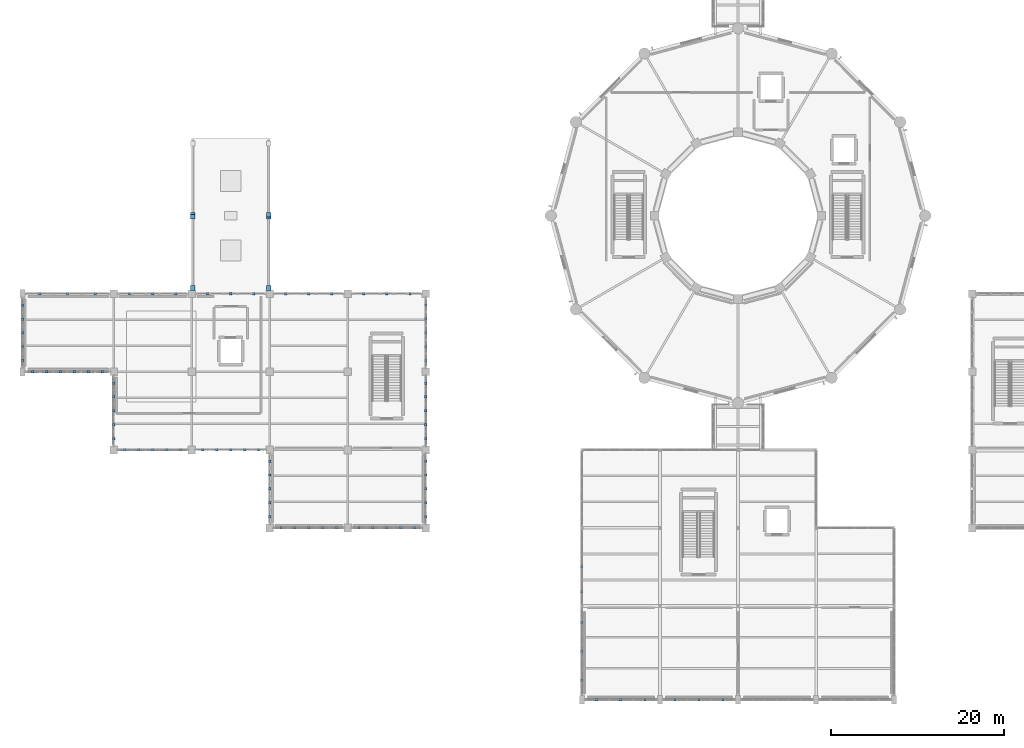
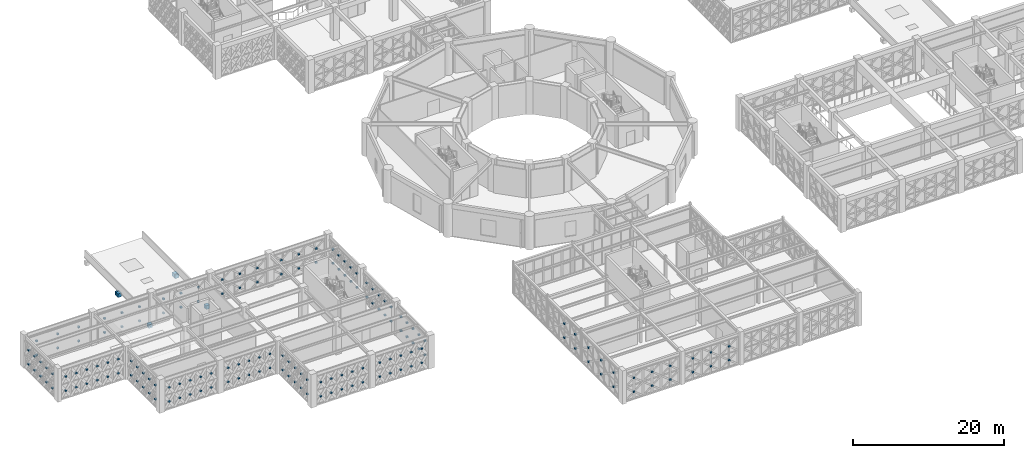
# One storey, part 140 of 155: 170 discrete accessories.
"""IFC4 building model written with IfcOpenShell, lengths in metres."""

from ifc_helpers import new_model, si_unit, direction, frame, origin, origin_2d, place, context, subcontext, project, spatial, rectangle, extrude, material, type_object, element, save


model = new_model("IFC4")

# Units and contexts
model_context = context("Model", 3, precision=1e-05, world=origin(), true_north=direction((0.0, 1.0)))
body_context = subcontext(model_context, "Body", "Model", "MODEL_VIEW")
ifc_project = project(units=[si_unit("LENGTHUNIT", "METRE"), si_unit("AREAUNIT", "SQUARE_METRE"), si_unit("VOLUMEUNIT", "CUBIC_METRE"), si_unit("PLANEANGLEUNIT", "RADIAN"), si_unit("MASSUNIT", "GRAM", prefix="KILO")], contexts=[model_context])

# Site, building, storey
site_placement = place(None, origin())
site = spatial("IfcSite", under=ifc_project, at=site_placement, CompositionType="ELEMENT")
building_placement = place(site_placement, origin())
building = spatial("IfcBuilding", under=site, at=building_placement, Name="Haizhuo Lancet Aquarium", CompositionType="ELEMENT")
storey_placement = place(building_placement, frame((0.0, 0.0, 10.800048828125)))
storey = spatial("IfcBuildingStorey", under=building, at=storey_placement, Name="L02", CompositionType="ELEMENT", Elevation=10.800048828125)

# Discrete accessories
ifc_material = material(Name="Steel S355", Category="steel")
discrete_accessory_type = type_object("IfcDiscreteAccessoryType", Name="ACC-END-CAP", PredefinedType="BRACKET", material=ifc_material)
for number, where, z_axis, x_axis, name in (
    (1, (-62.8798828125, -8.320068359375, -0.9501953125), (0.0, 0.0, 1.0), (1.0, 0.0, 0.0), "L02 welded Steel S355 brace end-cap bracket EC-SB-1-1"),
    (2, (-62.8798828125, -0.1201171875, -0.9501953125), (0.0, 0.0, 1.0), (1.0, 0.0, 0.0), "L02 welded Steel S355 brace end-cap bracket EC-SB-1-2"),
    (3, (-62.8798828125, 0.1201171875, -0.9501953125), (0.0, 0.0, 1.0), (1.0, 0.0, 0.0), "L02 welded Steel S355 brace end-cap bracket EC-SB-1-3"),
    (4, (-54.1201171875, -8.320068359375, -0.9501953125), (0.0, 0.0, 1.0), (1.0, 0.0, 0.0), "L02 welded Steel S355 brace end-cap bracket EC-SB-2-1"),
    (5, (-54.1201171875, -0.1201171875, -0.9501953125), (0.0, 0.0, 1.0), (1.0, 0.0, 0.0), "L02 welded Steel S355 brace end-cap bracket EC-SB-2-2"),
    (6, (-54.1201171875, 0.1201171875, -0.9501953125), (0.0, 0.0, 1.0), (1.0, 0.0, 0.0), "L02 welded Steel S355 brace end-cap bracket EC-SB-2-3"),
):
    element("IfcDiscreteAccessory", number, at=place(storey_placement, frame(where, z_axis=z_axis, x_axis=x_axis)), inside=storey, type_object=discrete_accessory_type, material=ifc_material, Name=name, PredefinedType="BRACKET", context=body_context, shape_type="SweptSolid", body=[
        extrude(rectangle(XDim=0.550048828125, YDim=0.550048828125, at=origin_2d()), origin(), (0.0, 0.0, 1.0), 0.60009765625),
    ])
for number, where, z_axis, x_axis, name in (
    (7, (-1.72998046875, -55.800048828125, 0.99609375), (0.0, 0.0, 1.0), (1.0, 0.0, 0.0), "L02 X-brace crossing gusset plate XN-CW-V4-L02-110-LB01B1"),
    (8, (-1.72998046875, -55.800048828125, 3.22607421875), (0.0, 0.0, 1.0), (1.0, 0.0, 0.0), "L02 X-brace crossing gusset plate XN-CW-V4-L02-110-LB02B1"),
    (9, (-4.5, -55.800048828125, 0.99609375), (0.0, 0.0, 1.0), (1.0, 0.0, 0.0), "L02 X-brace crossing gusset plate XN-CW-V4-L02-110-LB03B1"),
    (10, (-4.5, -55.800048828125, 3.22607421875), (0.0, 0.0, 1.0), (1.0, 0.0, 0.0), "L02 X-brace crossing gusset plate XN-CW-V4-L02-110-LB04B1"),
    (11, (-7.27001953125, -55.800048828125, 0.99609375), (0.0, 0.0, 1.0), (1.0, 0.0, 0.0), "L02 X-brace crossing gusset plate XN-CW-V4-L02-110-LB05B1"),
    (12, (-7.27001953125, -55.800048828125, 3.22607421875), (0.0, 0.0, 1.0), (1.0, 0.0, 0.0), "L02 X-brace crossing gusset plate XN-CW-V4-L02-110-LB06B1"),
    (13, (-10.72998046875, -55.800048828125, 0.99609375), (0.0, 0.0, 1.0), (1.0, 0.0, 0.0), "L02 X-brace crossing gusset plate XN-CW-V4-L02-111-LB01B1"),
    (14, (-10.72998046875, -55.800048828125, 3.22607421875), (0.0, 0.0, 1.0), (1.0, 0.0, 0.0), "L02 X-brace crossing gusset plate XN-CW-V4-L02-111-LB02B1"),
    (15, (-13.5, -55.800048828125, 0.99609375), (0.0, 0.0, 1.0), (1.0, 0.0, 0.0), "L02 X-brace crossing gusset plate XN-CW-V4-L02-111-LB03B1"),
    (16, (-13.5, -55.800048828125, 3.22607421875), (0.0, 0.0, 1.0), (1.0, 0.0, 0.0), "L02 X-brace crossing gusset plate XN-CW-V4-L02-111-LB04B1"),
    (17, (-16.27001953125, -55.800048828125, 0.99609375), (0.0, 0.0, 1.0), (1.0, 0.0, 0.0), "L02 X-brace crossing gusset plate XN-CW-V4-L02-111-LB05B1"),
    (18, (-16.27001953125, -55.800048828125, 3.22607421875), (0.0, 0.0, 1.0), (1.0, 0.0, 0.0), "L02 X-brace crossing gusset plate XN-CW-V4-L02-111-LB06B1"),
    (19, (-18.0, -53.5791015625, 1.02099609375), (0.0, 0.0, 1.0), (1.0, 0.0, 0.0), "L02 X-brace crossing gusset plate XN-CW-V4-L02-112-LB01B1"),
    (20, (-18.0, -53.5791015625, 3.30078125), (0.0, 0.0, 1.0), (1.0, 0.0, 0.0), "L02 X-brace crossing gusset plate XN-CW-V4-L02-112-LB02B1"),
    (21, (-18.0, -50.22509765625, 1.02099609375), (0.0, 0.0, 1.0), (1.0, 0.0, 0.0), "L02 X-brace crossing gusset plate XN-CW-V4-L02-112-LB03B1"),
    (22, (-18.0, -50.22509765625, 3.30078125), (0.0, 0.0, 1.0), (1.0, 0.0, 0.0), "L02 X-brace crossing gusset plate XN-CW-V4-L02-112-LB04B1"),
    (23, (-18.0, -46.87109375, 1.02099609375), (0.0, 0.0, 1.0), (1.0, 0.0, 0.0), "L02 X-brace crossing gusset plate XN-CW-V4-L02-112-LB05B1"),
    (24, (-18.0, -46.87109375, 3.30078125), (0.0, 0.0, 1.0), (1.0, 0.0, 0.0), "L02 X-brace crossing gusset plate XN-CW-V4-L02-112-LB06B1"),
    (25, (-18.0, -43.3701171875, 1.02099609375), (0.0, 0.0, 1.0), (1.0, 0.0, 0.0), "L02 X-brace crossing gusset plate XN-CW-V4-L02-113-LB01B1"),
    (26, (-18.0, -43.3701171875, 3.30078125), (0.0, 0.0, 1.0), (1.0, 0.0, 0.0), "L02 X-brace crossing gusset plate XN-CW-V4-L02-113-LB02B1"),
    (27, (-18.0, -40.5, 1.02099609375), (0.0, 0.0, 1.0), (1.0, 0.0, 0.0), "L02 X-brace crossing gusset plate XN-CW-V4-L02-113-LB03B1"),
    (28, (-18.0, -40.5, 3.30078125), (0.0, 0.0, 1.0), (1.0, 0.0, 0.0), "L02 X-brace crossing gusset plate XN-CW-V4-L02-113-LB04B1"),
    (29, (-73.300048828125, -18.0, 1.02001953125), (0.0, 0.0, 1.0), (1.0, 0.0, 0.0), "L02 X-brace crossing gusset plate XN-CW-V6-L02-212-LB01B1"),
    (30, (-73.300048828125, -18.0, 3.2998046875), (0.0, 0.0, 1.0), (1.0, 0.0, 0.0), "L02 X-brace crossing gusset plate XN-CW-V6-L02-212-LB02B1"),
    (31, (-74.909912109375, -18.0, 1.02001953125), (0.0, 0.0, 1.0), (1.0, 0.0, 0.0), "L02 X-brace crossing gusset plate XN-CW-V6-L02-212-LB03B1"),
    (32, (-74.909912109375, -18.0, 3.2998046875), (0.0, 0.0, 1.0), (1.0, 0.0, 0.0), "L02 X-brace crossing gusset plate XN-CW-V6-L02-212-LB04B1"),
    (33, (-76.52001953125, -18.0, 1.02001953125), (0.0, 0.0, 1.0), (1.0, 0.0, 0.0), "L02 X-brace crossing gusset plate XN-CW-V6-L02-212-LB05B1"),
    (34, (-76.52001953125, -18.0, 3.2998046875), (0.0, 0.0, 1.0), (1.0, 0.0, 0.0), "L02 X-brace crossing gusset plate XN-CW-V6-L02-212-LB06B1"),
    (35, (-78.1298828125, -18.0, 1.02001953125), (0.0, 0.0, 1.0), (1.0, 0.0, 0.0), "L02 X-brace crossing gusset plate XN-CW-V6-L02-212-LB07B1"),
    (36, (-78.1298828125, -18.0, 3.2998046875), (0.0, 0.0, 1.0), (1.0, 0.0, 0.0), "L02 X-brace crossing gusset plate XN-CW-V6-L02-212-LB08B1"),
    (37, (-79.739990234375, -18.0, 1.02001953125), (0.0, 0.0, 1.0), (1.0, 0.0, 0.0), "L02 X-brace crossing gusset plate XN-CW-V6-L02-212-LB09B1"),
    (38, (-79.739990234375, -18.0, 3.2998046875), (0.0, 0.0, 1.0), (1.0, 0.0, 0.0), "L02 X-brace crossing gusset plate XN-CW-V6-L02-212-LB10B1"),
    (39, (-81.35009765625, -18.0, 1.02001953125), (0.0, 0.0, 1.0), (1.0, 0.0, 0.0), "L02 X-brace crossing gusset plate XN-CW-V6-L02-212-LB11B1"),
    (40, (-81.35009765625, -18.0, 3.2998046875), (0.0, 0.0, 1.0), (1.0, 0.0, 0.0), "L02 X-brace crossing gusset plate XN-CW-V6-L02-212-LB12B1"),
    (41, (-82.5, -16.6640625, 1.02001953125), (0.0, 0.0, 1.0), (1.0, 0.0, 0.0), "L02 X-brace crossing gusset plate XN-CW-V6-L02-213-LB01B1"),
    (42, (-82.5, -16.6640625, 3.2998046875), (0.0, 0.0, 1.0), (1.0, 0.0, 0.0), "L02 X-brace crossing gusset plate XN-CW-V6-L02-213-LB02B1"),
    (43, (-82.5, -15.08203125, 1.02001953125), (0.0, 0.0, 1.0), (1.0, 0.0, 0.0), "L02 X-brace crossing gusset plate XN-CW-V6-L02-213-LB03B1"),
    (44, (-82.5, -15.08203125, 3.2998046875), (0.0, 0.0, 1.0), (1.0, 0.0, 0.0), "L02 X-brace crossing gusset plate XN-CW-V6-L02-213-LB04B1"),
    (45, (-82.5, -13.5, 1.02001953125), (0.0, 0.0, 1.0), (1.0, 0.0, 0.0), "L02 X-brace crossing gusset plate XN-CW-V6-L02-213-LB05B1"),
    (46, (-82.5, -13.5, 3.2998046875), (0.0, 0.0, 1.0), (1.0, 0.0, 0.0), "L02 X-brace crossing gusset plate XN-CW-V6-L02-213-LB06B1"),
    (47, (-82.5, -11.91796875, 1.02001953125), (0.0, 0.0, 1.0), (1.0, 0.0, 0.0), "L02 X-brace crossing gusset plate XN-CW-V6-L02-213-LB07B1"),
    (48, (-82.5, -11.91796875, 3.2998046875), (0.0, 0.0, 1.0), (1.0, 0.0, 0.0), "L02 X-brace crossing gusset plate XN-CW-V6-L02-213-LB08B1"),
    (49, (-82.5, -10.3359375, 1.02001953125), (0.0, 0.0, 1.0), (1.0, 0.0, 0.0), "L02 X-brace crossing gusset plate XN-CW-V6-L02-213-LB09B1"),
    (50, (-82.5, -10.3359375, 3.2998046875), (0.0, 0.0, 1.0), (1.0, 0.0, 0.0), "L02 X-brace crossing gusset plate XN-CW-V6-L02-213-LB10B1"),
    (51, (-80.544921875, -9.0, 1.02001953125), (0.0, 0.0, 1.0), (1.0, 0.0, 0.0), "L02 X-brace crossing gusset plate XN-CW-V6-L02-214-LB01B1"),
    (52, (-80.544921875, -9.0, 3.2998046875), (0.0, 0.0, 1.0), (1.0, 0.0, 0.0), "L02 X-brace crossing gusset plate XN-CW-V6-L02-214-LB02B1"),
    (53, (-77.324951171875, -9.0, 1.02001953125), (0.0, 0.0, 1.0), (1.0, 0.0, 0.0), "L02 X-brace crossing gusset plate XN-CW-V6-L02-214-LB03B1"),
    (54, (-77.324951171875, -9.0, 3.2998046875), (0.0, 0.0, 1.0), (1.0, 0.0, 0.0), "L02 X-brace crossing gusset plate XN-CW-V6-L02-214-LB04B1"),
    (55, (-74.10498046875, -9.0, 1.02001953125), (0.0, 0.0, 1.0), (1.0, 0.0, 0.0), "L02 X-brace crossing gusset plate XN-CW-V6-L02-214-LB05B1"),
    (56, (-74.10498046875, -9.0, 3.2998046875), (0.0, 0.0, 1.0), (1.0, 0.0, 0.0), "L02 X-brace crossing gusset plate XN-CW-V6-L02-214-LB06B1"),
    (57, (-70.169921875, -9.0, 1.02001953125), (0.0, 0.0, 1.0), (1.0, 0.0, 0.0), "L02 X-brace crossing gusset plate XN-CW-V6-L02-215-LB01B1"),
    (58, (-70.169921875, -9.0, 3.2998046875), (0.0, 0.0, 1.0), (1.0, 0.0, 0.0), "L02 X-brace crossing gusset plate XN-CW-V6-L02-215-LB02B1"),
    (59, (-67.5, -9.0, 1.02001953125), (0.0, 0.0, 1.0), (1.0, 0.0, 0.0), "L02 X-brace crossing gusset plate XN-CW-V6-L02-215-LB03B1"),
    (60, (-67.5, -9.0, 3.2998046875), (0.0, 0.0, 1.0), (1.0, 0.0, 0.0), "L02 X-brace crossing gusset plate XN-CW-V6-L02-215-LB04B1"),
    (61, (-64.830078125, -9.0, 1.02001953125), (0.0, 0.0, 1.0), (1.0, 0.0, 0.0), "L02 X-brace crossing gusset plate XN-CW-V6-L02-215-LB05B1"),
    (62, (-64.830078125, -9.0, 3.2998046875), (0.0, 0.0, 1.0), (1.0, 0.0, 0.0), "L02 X-brace crossing gusset plate XN-CW-V6-L02-215-LB06B1"),
    (63, (-61.169921875, -9.0, 1.02001953125), (0.0, 0.0, 1.0), (1.0, 0.0, 0.0), "L02 X-brace crossing gusset plate XN-CW-V6-L02-216-LB01B1"),
    (64, (-61.169921875, -9.0, 3.2998046875), (0.0, 0.0, 1.0), (1.0, 0.0, 0.0), "L02 X-brace crossing gusset plate XN-CW-V6-L02-216-LB02B1"),
    (65, (-58.5, -9.0, 1.02001953125), (0.0, 0.0, 1.0), (1.0, 0.0, 0.0), "L02 X-brace crossing gusset plate XN-CW-V6-L02-216-LB03B1"),
    (66, (-58.5, -9.0, 3.2998046875), (0.0, 0.0, 1.0), (1.0, 0.0, 0.0), "L02 X-brace crossing gusset plate XN-CW-V6-L02-216-LB04B1"),
    (67, (-55.830078125, -9.0, 1.02001953125), (0.0, 0.0, 1.0), (1.0, 0.0, 0.0), "L02 X-brace crossing gusset plate XN-CW-V6-L02-216-LB05B1"),
    (68, (-55.830078125, -9.0, 3.2998046875), (0.0, 0.0, 1.0), (1.0, 0.0, 0.0), "L02 X-brace crossing gusset plate XN-CW-V6-L02-216-LB06B1"),
    (69, (-52.169921875, -9.0, 1.02001953125), (0.0, 0.0, 1.0), (1.0, 0.0, 0.0), "L02 X-brace crossing gusset plate XN-CW-V6-L02-217-LB01B1"),
    (70, (-52.169921875, -9.0, 3.2998046875), (0.0, 0.0, 1.0), (1.0, 0.0, 0.0), "L02 X-brace crossing gusset plate XN-CW-V6-L02-217-LB02B1"),
    (71, (-49.5, -9.0, 1.02001953125), (0.0, 0.0, 1.0), (1.0, 0.0, 0.0), "L02 X-brace crossing gusset plate XN-CW-V6-L02-217-LB03B1"),
    (72, (-49.5, -9.0, 3.2998046875), (0.0, 0.0, 1.0), (1.0, 0.0, 0.0), "L02 X-brace crossing gusset plate XN-CW-V6-L02-217-LB04B1"),
    (73, (-46.830078125, -9.0, 1.02001953125), (0.0, 0.0, 1.0), (1.0, 0.0, 0.0), "L02 X-brace crossing gusset plate XN-CW-V6-L02-217-LB05B1"),
    (74, (-46.830078125, -9.0, 3.2998046875), (0.0, 0.0, 1.0), (1.0, 0.0, 0.0), "L02 X-brace crossing gusset plate XN-CW-V6-L02-217-LB06B1"),
    (75, (-43.169921875, -9.0, 1.02001953125), (0.0, 0.0, 1.0), (1.0, 0.0, 0.0), "L02 X-brace crossing gusset plate XN-CW-V6-L02-218-LB01B1"),
    (76, (-43.169921875, -9.0, 3.2998046875), (0.0, 0.0, 1.0), (1.0, 0.0, 0.0), "L02 X-brace crossing gusset plate XN-CW-V6-L02-218-LB02B1"),
    (77, (-40.5, -9.0, 1.02001953125), (0.0, 0.0, 1.0), (1.0, 0.0, 0.0), "L02 X-brace crossing gusset plate XN-CW-V6-L02-218-LB03B1"),
    (78, (-40.5, -9.0, 3.2998046875), (0.0, 0.0, 1.0), (1.0, 0.0, 0.0), "L02 X-brace crossing gusset plate XN-CW-V6-L02-218-LB04B1"),
    (79, (-37.830078125, -9.0, 1.02001953125), (0.0, 0.0, 1.0), (1.0, 0.0, 0.0), "L02 X-brace crossing gusset plate XN-CW-V6-L02-218-LB05B1"),
    (80, (-37.830078125, -9.0, 3.2998046875), (0.0, 0.0, 1.0), (1.0, 0.0, 0.0), "L02 X-brace crossing gusset plate XN-CW-V6-L02-218-LB06B1"),
    (81, (-36.0, -10.2958984375, 1.02001953125), (0.0, 0.0, 1.0), (1.0, 0.0, 0.0), "L02 X-brace crossing gusset plate XN-CW-V6-L02-219-LB01B1"),
    (82, (-36.0, -10.2958984375, 3.2998046875), (0.0, 0.0, 1.0), (1.0, 0.0, 0.0), "L02 X-brace crossing gusset plate XN-CW-V6-L02-219-LB02B1"),
    (83, (-36.0, -11.89794921875, 1.02001953125), (0.0, 0.0, 1.0), (1.0, 0.0, 0.0), "L02 X-brace crossing gusset plate XN-CW-V6-L02-219-LB03B1"),
    (84, (-36.0, -11.89794921875, 3.2998046875), (0.0, 0.0, 1.0), (1.0, 0.0, 0.0), "L02 X-brace crossing gusset plate XN-CW-V6-L02-219-LB04B1"),
    (85, (-36.0, -13.5, 1.02001953125), (0.0, 0.0, 1.0), (1.0, 0.0, 0.0), "L02 X-brace crossing gusset plate XN-CW-V6-L02-219-LB05B1"),
    (86, (-36.0, -13.5, 3.2998046875), (0.0, 0.0, 1.0), (1.0, 0.0, 0.0), "L02 X-brace crossing gusset plate XN-CW-V6-L02-219-LB06B1"),
    (87, (-36.0, -15.10205078125, 1.02001953125), (0.0, 0.0, 1.0), (1.0, 0.0, 0.0), "L02 X-brace crossing gusset plate XN-CW-V6-L02-219-LB07B1"),
    (88, (-36.0, -15.10205078125, 3.2998046875), (0.0, 0.0, 1.0), (1.0, 0.0, 0.0), "L02 X-brace crossing gusset plate XN-CW-V6-L02-219-LB08B1"),
    (89, (-36.0, -16.7041015625, 1.02001953125), (0.0, 0.0, 1.0), (1.0, 0.0, 0.0), "L02 X-brace crossing gusset plate XN-CW-V6-L02-219-LB09B1"),
    (90, (-36.0, -16.7041015625, 3.2998046875), (0.0, 0.0, 1.0), (1.0, 0.0, 0.0), "L02 X-brace crossing gusset plate XN-CW-V6-L02-219-LB10B1"),
    (91, (-36.0, -19.2958984375, 1.02001953125), (0.0, 0.0, 1.0), (1.0, 0.0, 0.0), "L02 X-brace crossing gusset plate XN-CW-V6-L02-220-LB01B1"),
    (92, (-36.0, -19.2958984375, 3.2998046875), (0.0, 0.0, 1.0), (1.0, 0.0, 0.0), "L02 X-brace crossing gusset plate XN-CW-V6-L02-220-LB02B1"),
    (93, (-36.0, -20.89794921875, 1.02001953125), (0.0, 0.0, 1.0), (1.0, 0.0, 0.0), "L02 X-brace crossing gusset plate XN-CW-V6-L02-220-LB03B1"),
    (94, (-36.0, -20.89794921875, 3.2998046875), (0.0, 0.0, 1.0), (1.0, 0.0, 0.0), "L02 X-brace crossing gusset plate XN-CW-V6-L02-220-LB04B1"),
    (95, (-36.0, -22.5, 1.02001953125), (0.0, 0.0, 1.0), (1.0, 0.0, 0.0), "L02 X-brace crossing gusset plate XN-CW-V6-L02-220-LB05B1"),
    (96, (-36.0, -22.5, 3.2998046875), (0.0, 0.0, 1.0), (1.0, 0.0, 0.0), "L02 X-brace crossing gusset plate XN-CW-V6-L02-220-LB06B1"),
    (97, (-36.0, -24.10205078125, 1.02001953125), (0.0, 0.0, 1.0), (1.0, 0.0, 0.0), "L02 X-brace crossing gusset plate XN-CW-V6-L02-220-LB07B1"),
    (98, (-36.0, -24.10205078125, 3.2998046875), (0.0, 0.0, 1.0), (1.0, 0.0, 0.0), "L02 X-brace crossing gusset plate XN-CW-V6-L02-220-LB08B1"),
    (99, (-36.0, -25.7041015625, 1.02001953125), (0.0, 0.0, 1.0), (1.0, 0.0, 0.0), "L02 X-brace crossing gusset plate XN-CW-V6-L02-220-LB09B1"),
    (100, (-36.0, -25.7041015625, 3.2998046875), (0.0, 0.0, 1.0), (1.0, 0.0, 0.0), "L02 X-brace crossing gusset plate XN-CW-V6-L02-220-LB10B1"),
    (101, (-36.0, -28.2958984375, 1.02001953125), (0.0, 0.0, 1.0), (1.0, 0.0, 0.0), "L02 X-brace crossing gusset plate XN-CW-V6-L02-221-LB01B1"),
    (102, (-36.0, -28.2958984375, 3.2998046875), (0.0, 0.0, 1.0), (1.0, 0.0, 0.0), "L02 X-brace crossing gusset plate XN-CW-V6-L02-221-LB02B1"),
    (103, (-36.0, -29.89794921875, 1.02001953125), (0.0, 0.0, 1.0), (1.0, 0.0, 0.0), "L02 X-brace crossing gusset plate XN-CW-V6-L02-221-LB03B1"),
    (104, (-36.0, -29.89794921875, 3.2998046875), (0.0, 0.0, 1.0), (1.0, 0.0, 0.0), "L02 X-brace crossing gusset plate XN-CW-V6-L02-221-LB04B1"),
    (105, (-36.0, -31.5, 1.02001953125), (0.0, 0.0, 1.0), (1.0, 0.0, 0.0), "L02 X-brace crossing gusset plate XN-CW-V6-L02-221-LB05B1"),
    (106, (-36.0, -31.5, 3.2998046875), (0.0, 0.0, 1.0), (1.0, 0.0, 0.0), "L02 X-brace crossing gusset plate XN-CW-V6-L02-221-LB06B1"),
    (107, (-36.0, -33.10205078125, 1.02001953125), (0.0, 0.0, 1.0), (1.0, 0.0, 0.0), "L02 X-brace crossing gusset plate XN-CW-V6-L02-221-LB07B1"),
    (108, (-36.0, -33.10205078125, 3.2998046875), (0.0, 0.0, 1.0), (1.0, 0.0, 0.0), "L02 X-brace crossing gusset plate XN-CW-V6-L02-221-LB08B1"),
    (109, (-36.0, -34.7041015625, 1.02001953125), (0.0, 0.0, 1.0), (1.0, 0.0, 0.0), "L02 X-brace crossing gusset plate XN-CW-V6-L02-221-LB09B1"),
    (110, (-36.0, -34.7041015625, 3.2998046875), (0.0, 0.0, 1.0), (1.0, 0.0, 0.0), "L02 X-brace crossing gusset plate XN-CW-V6-L02-221-LB10B1"),
    (111, (-37.2958984375, -36.0, 1.02001953125), (0.0, 0.0, 1.0), (1.0, 0.0, 0.0), "L02 X-brace crossing gusset plate XN-CW-V6-L02-222-LB01B1"),
    (112, (-37.2958984375, -36.0, 3.2998046875), (0.0, 0.0, 1.0), (1.0, 0.0, 0.0), "L02 X-brace crossing gusset plate XN-CW-V6-L02-222-LB02B1"),
    (113, (-38.89794921875, -36.0, 1.02001953125), (0.0, 0.0, 1.0), (1.0, 0.0, 0.0), "L02 X-brace crossing gusset plate XN-CW-V6-L02-222-LB03B1"),
    (114, (-38.89794921875, -36.0, 3.2998046875), (0.0, 0.0, 1.0), (1.0, 0.0, 0.0), "L02 X-brace crossing gusset plate XN-CW-V6-L02-222-LB04B1"),
    (115, (-40.5, -36.0, 1.02001953125), (0.0, 0.0, 1.0), (1.0, 0.0, 0.0), "L02 X-brace crossing gusset plate XN-CW-V6-L02-222-LB05B1"),
    (116, (-40.5, -36.0, 3.2998046875), (0.0, 0.0, 1.0), (1.0, 0.0, 0.0), "L02 X-brace crossing gusset plate XN-CW-V6-L02-222-LB06B1"),
    (117, (-42.10205078125, -36.0, 1.02001953125), (0.0, 0.0, 1.0), (1.0, 0.0, 0.0), "L02 X-brace crossing gusset plate XN-CW-V6-L02-222-LB07B1"),
    (118, (-42.10205078125, -36.0, 3.2998046875), (0.0, 0.0, 1.0), (1.0, 0.0, 0.0), "L02 X-brace crossing gusset plate XN-CW-V6-L02-222-LB08B1"),
    (119, (-43.7041015625, -36.0, 1.02001953125), (0.0, 0.0, 1.0), (1.0, 0.0, 0.0), "L02 X-brace crossing gusset plate XN-CW-V6-L02-222-LB09B1"),
    (120, (-43.7041015625, -36.0, 3.2998046875), (0.0, 0.0, 1.0), (1.0, 0.0, 0.0), "L02 X-brace crossing gusset plate XN-CW-V6-L02-222-LB10B1"),
    (121, (-46.2958984375, -36.0, 1.02001953125), (0.0, 0.0, 1.0), (1.0, 0.0, 0.0), "L02 X-brace crossing gusset plate XN-CW-V6-L02-223-LB01B1"),
    (122, (-46.2958984375, -36.0, 3.2998046875), (0.0, 0.0, 1.0), (1.0, 0.0, 0.0), "L02 X-brace crossing gusset plate XN-CW-V6-L02-223-LB02B1"),
    (123, (-47.89794921875, -36.0, 1.02001953125), (0.0, 0.0, 1.0), (1.0, 0.0, 0.0), "L02 X-brace crossing gusset plate XN-CW-V6-L02-223-LB03B1"),
    (124, (-47.89794921875, -36.0, 3.2998046875), (0.0, 0.0, 1.0), (1.0, 0.0, 0.0), "L02 X-brace crossing gusset plate XN-CW-V6-L02-223-LB04B1"),
    (125, (-49.5, -36.0, 1.02001953125), (0.0, 0.0, 1.0), (1.0, 0.0, 0.0), "L02 X-brace crossing gusset plate XN-CW-V6-L02-223-LB05B1"),
    (126, (-49.5, -36.0, 3.2998046875), (0.0, 0.0, 1.0), (1.0, 0.0, 0.0), "L02 X-brace crossing gusset plate XN-CW-V6-L02-223-LB06B1"),
    (127, (-51.10205078125, -36.0, 1.02001953125), (0.0, 0.0, 1.0), (1.0, 0.0, 0.0), "L02 X-brace crossing gusset plate XN-CW-V6-L02-223-LB07B1"),
    (128, (-51.10205078125, -36.0, 3.2998046875), (0.0, 0.0, 1.0), (1.0, 0.0, 0.0), "L02 X-brace crossing gusset plate XN-CW-V6-L02-223-LB08B1"),
    (129, (-52.7041015625, -36.0, 1.02001953125), (0.0, 0.0, 1.0), (1.0, 0.0, 0.0), "L02 X-brace crossing gusset plate XN-CW-V6-L02-223-LB09B1"),
    (130, (-52.7041015625, -36.0, 3.2998046875), (0.0, 0.0, 1.0), (1.0, 0.0, 0.0), "L02 X-brace crossing gusset plate XN-CW-V6-L02-223-LB10B1"),
    (131, (-54.0, -34.7041015625, 1.02001953125), (0.0, 0.0, 1.0), (1.0, 0.0, 0.0), "L02 X-brace crossing gusset plate XN-CW-V6-L02-224-LB01B1"),
    (132, (-54.0, -34.7041015625, 3.2998046875), (0.0, 0.0, 1.0), (1.0, 0.0, 0.0), "L02 X-brace crossing gusset plate XN-CW-V6-L02-224-LB02B1"),
    (133, (-54.0, -33.10205078125, 1.02001953125), (0.0, 0.0, 1.0), (1.0, 0.0, 0.0), "L02 X-brace crossing gusset plate XN-CW-V6-L02-224-LB03B1"),
    (134, (-54.0, -33.10205078125, 3.2998046875), (0.0, 0.0, 1.0), (1.0, 0.0, 0.0), "L02 X-brace crossing gusset plate XN-CW-V6-L02-224-LB04B1"),
    (135, (-54.0, -31.5, 1.02001953125), (0.0, 0.0, 1.0), (1.0, 0.0, 0.0), "L02 X-brace crossing gusset plate XN-CW-V6-L02-224-LB05B1"),
    (136, (-54.0, -31.5, 3.2998046875), (0.0, 0.0, 1.0), (1.0, 0.0, 0.0), "L02 X-brace crossing gusset plate XN-CW-V6-L02-224-LB06B1"),
    (137, (-54.0, -29.89794921875, 1.02001953125), (0.0, 0.0, 1.0), (1.0, 0.0, 0.0), "L02 X-brace crossing gusset plate XN-CW-V6-L02-224-LB07B1"),
    (138, (-54.0, -29.89794921875, 3.2998046875), (0.0, 0.0, 1.0), (1.0, 0.0, 0.0), "L02 X-brace crossing gusset plate XN-CW-V6-L02-224-LB08B1"),
    (139, (-54.0, -28.2958984375, 1.02001953125), (0.0, 0.0, 1.0), (1.0, 0.0, 0.0), "L02 X-brace crossing gusset plate XN-CW-V6-L02-224-LB09B1"),
    (140, (-54.0, -28.2958984375, 3.2998046875), (0.0, 0.0, 1.0), (1.0, 0.0, 0.0), "L02 X-brace crossing gusset plate XN-CW-V6-L02-224-LB10B1"),
    (141, (-55.2958984375, -27.0, 1.02001953125), (0.0, 0.0, 1.0), (1.0, 0.0, 0.0), "L02 X-brace crossing gusset plate XN-CW-V6-L02-225-LB01B1"),
    (142, (-55.2958984375, -27.0, 3.2998046875), (0.0, 0.0, 1.0), (1.0, 0.0, 0.0), "L02 X-brace crossing gusset plate XN-CW-V6-L02-225-LB02B1"),
    (143, (-56.89794921875, -27.0, 1.02001953125), (0.0, 0.0, 1.0), (1.0, 0.0, 0.0), "L02 X-brace crossing gusset plate XN-CW-V6-L02-225-LB03B1"),
    (144, (-56.89794921875, -27.0, 3.2998046875), (0.0, 0.0, 1.0), (1.0, 0.0, 0.0), "L02 X-brace crossing gusset plate XN-CW-V6-L02-225-LB04B1"),
    (145, (-58.5, -27.0, 1.02001953125), (0.0, 0.0, 1.0), (1.0, 0.0, 0.0), "L02 X-brace crossing gusset plate XN-CW-V6-L02-225-LB05B1"),
    (146, (-58.5, -27.0, 3.2998046875), (0.0, 0.0, 1.0), (1.0, 0.0, 0.0), "L02 X-brace crossing gusset plate XN-CW-V6-L02-225-LB06B1"),
    (147, (-60.10205078125, -27.0, 1.02001953125), (0.0, 0.0, 1.0), (1.0, 0.0, 0.0), "L02 X-brace crossing gusset plate XN-CW-V6-L02-225-LB07B1"),
    (148, (-60.10205078125, -27.0, 3.2998046875), (0.0, 0.0, 1.0), (1.0, 0.0, 0.0), "L02 X-brace crossing gusset plate XN-CW-V6-L02-225-LB08B1"),
    (149, (-61.7041015625, -27.0, 1.02001953125), (0.0, 0.0, 1.0), (1.0, 0.0, 0.0), "L02 X-brace crossing gusset plate XN-CW-V6-L02-225-LB09B1"),
    (150, (-61.7041015625, -27.0, 3.2998046875), (0.0, 0.0, 1.0), (1.0, 0.0, 0.0), "L02 X-brace crossing gusset plate XN-CW-V6-L02-225-LB10B1"),
    (151, (-64.2958984375, -27.0, 1.02001953125), (0.0, 0.0, 1.0), (1.0, 0.0, 0.0), "L02 X-brace crossing gusset plate XN-CW-V6-L02-226-LB01B1"),
    (152, (-64.2958984375, -27.0, 3.2998046875), (0.0, 0.0, 1.0), (1.0, 0.0, 0.0), "L02 X-brace crossing gusset plate XN-CW-V6-L02-226-LB02B1"),
    (153, (-65.89794921875, -27.0, 1.02001953125), (0.0, 0.0, 1.0), (1.0, 0.0, 0.0), "L02 X-brace crossing gusset plate XN-CW-V6-L02-226-LB03B1"),
    (154, (-65.89794921875, -27.0, 3.2998046875), (0.0, 0.0, 1.0), (1.0, 0.0, 0.0), "L02 X-brace crossing gusset plate XN-CW-V6-L02-226-LB04B1"),
    (155, (-67.5, -27.0, 1.02001953125), (0.0, 0.0, 1.0), (1.0, 0.0, 0.0), "L02 X-brace crossing gusset plate XN-CW-V6-L02-226-LB05B1"),
    (156, (-67.5, -27.0, 3.2998046875), (0.0, 0.0, 1.0), (1.0, 0.0, 0.0), "L02 X-brace crossing gusset plate XN-CW-V6-L02-226-LB06B1"),
    (157, (-69.10205078125, -27.0, 1.02001953125), (0.0, 0.0, 1.0), (1.0, 0.0, 0.0), "L02 X-brace crossing gusset plate XN-CW-V6-L02-226-LB07B1"),
    (158, (-69.10205078125, -27.0, 3.2998046875), (0.0, 0.0, 1.0), (1.0, 0.0, 0.0), "L02 X-brace crossing gusset plate XN-CW-V6-L02-226-LB08B1"),
    (159, (-70.7041015625, -27.0, 1.02001953125), (0.0, 0.0, 1.0), (1.0, 0.0, 0.0), "L02 X-brace crossing gusset plate XN-CW-V6-L02-226-LB09B1"),
    (160, (-70.7041015625, -27.0, 3.2998046875), (0.0, 0.0, 1.0), (1.0, 0.0, 0.0), "L02 X-brace crossing gusset plate XN-CW-V6-L02-226-LB10B1"),
    (161, (-72.0, -25.7041015625, 1.02001953125), (0.0, 0.0, 1.0), (1.0, 0.0, 0.0), "L02 X-brace crossing gusset plate XN-CW-V6-L02-227-LB01B1"),
    (162, (-72.0, -25.7041015625, 3.2998046875), (0.0, 0.0, 1.0), (1.0, 0.0, 0.0), "L02 X-brace crossing gusset plate XN-CW-V6-L02-227-LB02B1"),
    (163, (-72.0, -24.10205078125, 1.02001953125), (0.0, 0.0, 1.0), (1.0, 0.0, 0.0), "L02 X-brace crossing gusset plate XN-CW-V6-L02-227-LB03B1"),
    (164, (-72.0, -24.10205078125, 3.2998046875), (0.0, 0.0, 1.0), (1.0, 0.0, 0.0), "L02 X-brace crossing gusset plate XN-CW-V6-L02-227-LB04B1"),
    (165, (-72.0, -22.5, 1.02001953125), (0.0, 0.0, 1.0), (1.0, 0.0, 0.0), "L02 X-brace crossing gusset plate XN-CW-V6-L02-227-LB05B1"),
    (166, (-72.0, -22.5, 3.2998046875), (0.0, 0.0, 1.0), (1.0, 0.0, 0.0), "L02 X-brace crossing gusset plate XN-CW-V6-L02-227-LB06B1"),
    (167, (-72.0, -20.89794921875, 1.02001953125), (0.0, 0.0, 1.0), (1.0, 0.0, 0.0), "L02 X-brace crossing gusset plate XN-CW-V6-L02-227-LB07B1"),
    (168, (-72.0, -20.89794921875, 3.2998046875), (0.0, 0.0, 1.0), (1.0, 0.0, 0.0), "L02 X-brace crossing gusset plate XN-CW-V6-L02-227-LB08B1"),
    (169, (-72.0, -19.2958984375, 1.02001953125), (0.0, 0.0, 1.0), (1.0, 0.0, 0.0), "L02 X-brace crossing gusset plate XN-CW-V6-L02-227-LB09B1"),
    (170, (-72.0, -19.2958984375, 3.2998046875), (0.0, 0.0, 1.0), (1.0, 0.0, 0.0), "L02 X-brace crossing gusset plate XN-CW-V6-L02-227-LB10B1"),
):
    element("IfcDiscreteAccessory", number, at=place(storey_placement, frame(where, z_axis=z_axis, x_axis=x_axis)), inside=storey, type_object=discrete_accessory_type, material=ifc_material, Name=name, PredefinedType="BRACKET", context=body_context, shape_type="SweptSolid", body=[
        extrude(rectangle(XDim=0.280029296875, YDim=0.280029296875, at=origin_2d()), origin(), (0.0, 0.0, 1.0), 0.239990234375),
    ])

save(model, "model.ifc")
